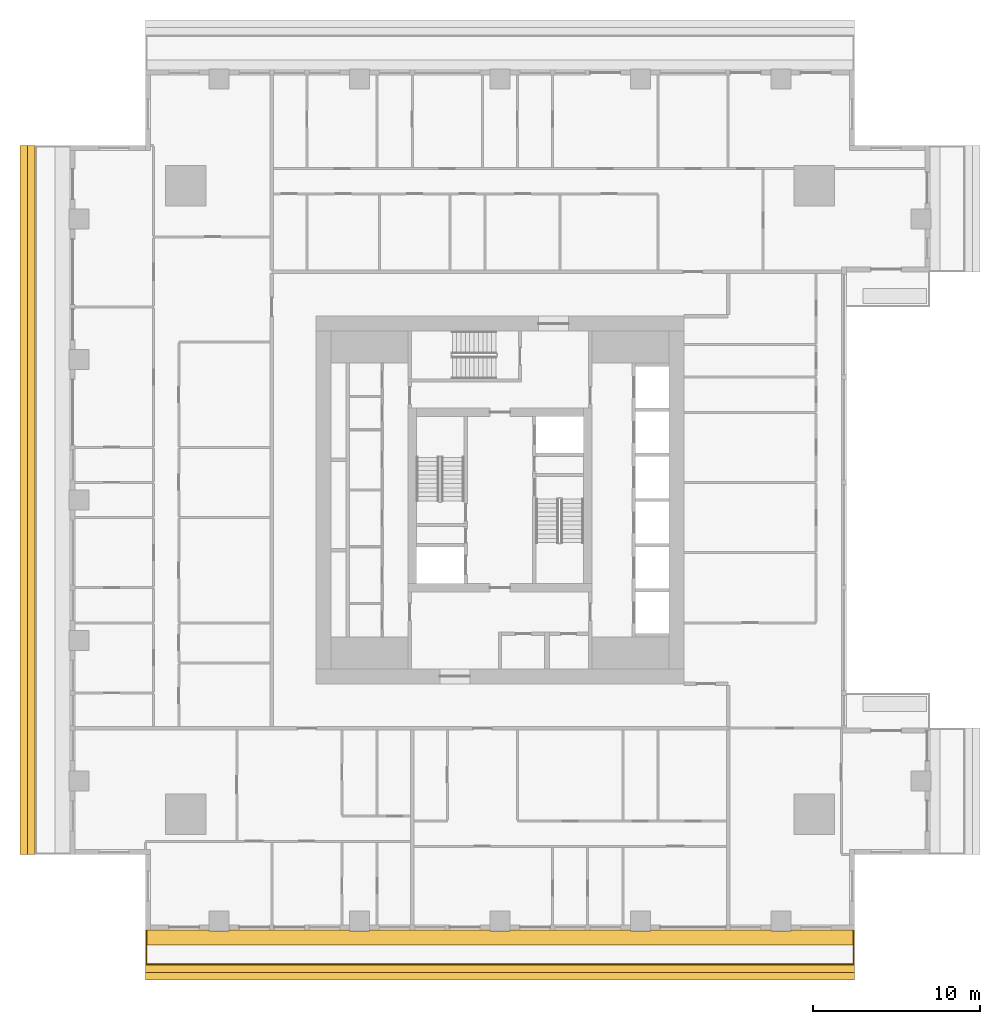
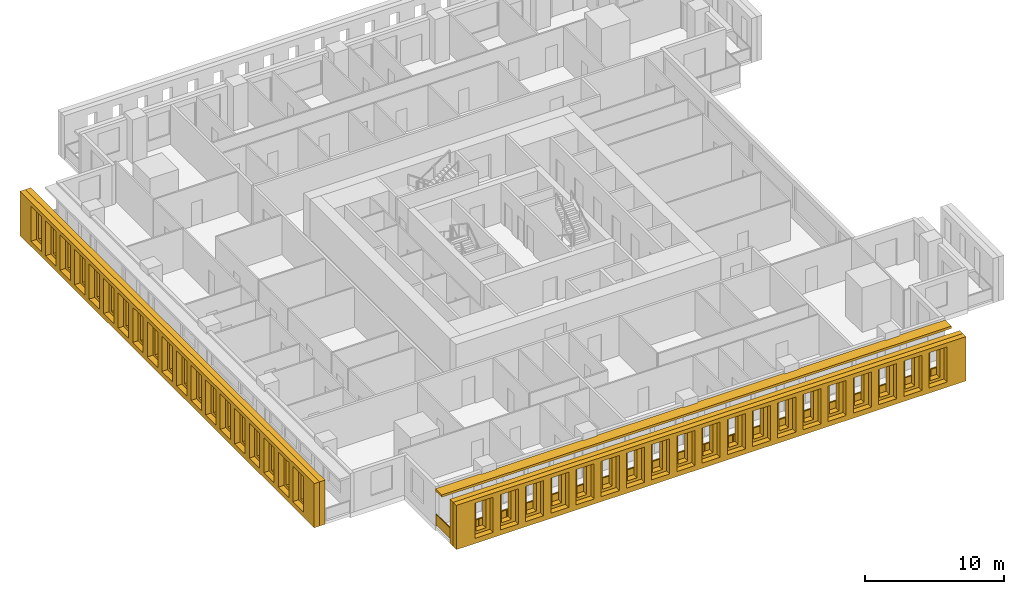
# One storey, part 10 of 15: 5 shading devices, 1 railing.
"""IFC4 building model written with IfcOpenShell, lengths in metres."""

from ifc_helpers import new_model, si_unit, direction, frame, origin, origin_2d, place, context, subcontext, project, spatial, polyline, rectangle, outline, extrude, material, layer, layer_set, type_object, element, save


model = new_model("IFC4")

# Units and contexts
model_context = context("Model", 3, precision=1e-05, world=origin(), true_north=direction((0.0, 1.0)))
body_context = subcontext(model_context, "Body", "Model", "MODEL_VIEW")
ifc_project = project(units=[si_unit("LENGTHUNIT", "METRE"), si_unit("AREAUNIT", "SQUARE_METRE"), si_unit("VOLUMEUNIT", "CUBIC_METRE"), si_unit("PLANEANGLEUNIT", "RADIAN"), si_unit("MASSUNIT", "GRAM", prefix="KILO")], contexts=[model_context])

# Site, building, storey
site_placement = place(None, origin())
site = spatial("IfcSite", under=ifc_project, at=site_placement, CompositionType="ELEMENT")
building_placement = place(site_placement, origin())
building = spatial("IfcBuilding", under=site, at=building_placement, Name="Khepri Terraces", CompositionType="ELEMENT")
storey_placement = place(building_placement, frame((0.0, 0.0, 227.39990234375)))
storey = spatial("IfcBuildingStorey", under=building, at=storey_placement, Name="L54", CompositionType="ELEMENT", Elevation=227.39990234375)

# Railing
ifc_material_1 = material(Name="Stainless steel grade 316", Category="steel")
railing_type = type_object("IfcRailingType", Name="GRD-BAL-1100", PredefinedType="GUARDRAIL", material=ifc_material_1)
railing_placement = place(storey_placement, frame((-21.169921875, -25.719970703125, 0.0)))
element("IfcRailing", 1, at=railing_placement, inside=storey, type_object=railing_type, Name="Balcony guard L54 S", PredefinedType="GUARDRAIL", context=body_context, shape_type="SweptSolid", body=[
    extrude(rectangle(XDim=0.050048828125, YDim=0.06005859375, at=origin_2d()), frame((0.0, 0.0, 1.070068359375), z_axis=(0.0, -1.0, 0.0), x_axis=(1.0, 0.0, 0.0)), (0.0, 0.0, 1.0), 2.050048828125),
    extrude(rectangle(XDim=2.0, YDim=0.011962890625, at=origin_2d()), frame((0.0, -1.02490234375, 0.10009765625), z_axis=(0.0, 0.0, 1.0), x_axis=(0.0, -1.0, 0.0)), (0.0, 0.0, 1.0), 0.93994140625),
    extrude(rectangle(XDim=0.050048828125, YDim=0.06005859375, at=origin_2d()), frame((0.0, -2.050048828125, 1.070068359375), z_axis=(1.0, 0.0, 0.0), x_axis=(0.0, 1.0, 0.0)), (0.0, 0.0, 1.0), 42.33984375),
    extrude(rectangle(XDim=2.30224609375, YDim=0.011962890625, at=origin_2d()), frame((1.176025390625, -2.050048828125, 0.10009765625), z_axis=(0.0, 0.0, 1.0), x_axis=(1.0, 0.0, 0.0)), (0.0, 0.0, 1.0), 0.93994140625),
    extrude(rectangle(XDim=2.30224609375, YDim=0.011962890625, at=origin_2d()), frame((3.5283203125, -2.050048828125, 0.10009765625), z_axis=(0.0, 0.0, 1.0), x_axis=(1.0, 0.0, 0.0)), (0.0, 0.0, 1.0), 0.93994140625),
    extrude(rectangle(XDim=2.30224609375, YDim=0.011962890625, at=origin_2d()), frame((5.880615234375, -2.050048828125, 0.10009765625), z_axis=(0.0, 0.0, 1.0), x_axis=(1.0, 0.0, 0.0)), (0.0, 0.0, 1.0), 0.93994140625),
    extrude(rectangle(XDim=2.30224609375, YDim=0.011962890625, at=origin_2d()), frame((8.232666015625, -2.050048828125, 0.10009765625), z_axis=(0.0, 0.0, 1.0), x_axis=(1.0, 0.0, 0.0)), (0.0, 0.0, 1.0), 0.93994140625),
    extrude(rectangle(XDim=2.30224609375, YDim=0.011962890625, at=origin_2d()), frame((10.5849609375, -2.050048828125, 0.10009765625), z_axis=(0.0, 0.0, 1.0), x_axis=(1.0, 0.0, 0.0)), (0.0, 0.0, 1.0), 0.93994140625),
    extrude(rectangle(XDim=2.30224609375, YDim=0.011962890625, at=origin_2d()), frame((12.937255859375, -2.050048828125, 0.10009765625), z_axis=(0.0, 0.0, 1.0), x_axis=(1.0, 0.0, 0.0)), (0.0, 0.0, 1.0), 0.93994140625),
    extrude(rectangle(XDim=2.30224609375, YDim=0.011962890625, at=origin_2d()), frame((15.289306640625, -2.050048828125, 0.10009765625), z_axis=(0.0, 0.0, 1.0), x_axis=(1.0, 0.0, 0.0)), (0.0, 0.0, 1.0), 0.93994140625),
    extrude(rectangle(XDim=2.30224609375, YDim=0.011962890625, at=origin_2d()), frame((17.6416015625, -2.050048828125, 0.10009765625), z_axis=(0.0, 0.0, 1.0), x_axis=(1.0, 0.0, 0.0)), (0.0, 0.0, 1.0), 0.93994140625),
    extrude(rectangle(XDim=2.30224609375, YDim=0.011962890625, at=origin_2d()), frame((19.993896484375, -2.050048828125, 0.10009765625), z_axis=(0.0, 0.0, 1.0), x_axis=(1.0, 0.0, 0.0)), (0.0, 0.0, 1.0), 0.93994140625),
    extrude(rectangle(XDim=2.30224609375, YDim=0.011962890625, at=origin_2d()), frame((22.345947265625, -2.050048828125, 0.10009765625), z_axis=(0.0, 0.0, 1.0), x_axis=(1.0, 0.0, 0.0)), (0.0, 0.0, 1.0), 0.93994140625),
    extrude(rectangle(XDim=2.30224609375, YDim=0.011962890625, at=origin_2d()), frame((24.6982421875, -2.050048828125, 0.10009765625), z_axis=(0.0, 0.0, 1.0), x_axis=(1.0, 0.0, 0.0)), (0.0, 0.0, 1.0), 0.93994140625),
    extrude(rectangle(XDim=2.30224609375, YDim=0.011962890625, at=origin_2d()), frame((27.050537109375, -2.050048828125, 0.10009765625), z_axis=(0.0, 0.0, 1.0), x_axis=(1.0, 0.0, 0.0)), (0.0, 0.0, 1.0), 0.93994140625),
    extrude(rectangle(XDim=2.30224609375, YDim=0.011962890625, at=origin_2d()), frame((29.402587890625, -2.050048828125, 0.10009765625), z_axis=(0.0, 0.0, 1.0), x_axis=(1.0, 0.0, 0.0)), (0.0, 0.0, 1.0), 0.93994140625),
    extrude(rectangle(XDim=2.30224609375, YDim=0.011962890625, at=origin_2d()), frame((31.7548828125, -2.050048828125, 0.10009765625), z_axis=(0.0, 0.0, 1.0), x_axis=(1.0, 0.0, 0.0)), (0.0, 0.0, 1.0), 0.93994140625),
    extrude(rectangle(XDim=2.30224609375, YDim=0.011962890625, at=origin_2d()), frame((34.107177734375, -2.050048828125, 0.10009765625), z_axis=(0.0, 0.0, 1.0), x_axis=(1.0, 0.0, 0.0)), (0.0, 0.0, 1.0), 0.93994140625),
    extrude(rectangle(XDim=2.30224609375, YDim=0.011962890625, at=origin_2d()), frame((36.459228515625, -2.050048828125, 0.10009765625), z_axis=(0.0, 0.0, 1.0), x_axis=(1.0, 0.0, 0.0)), (0.0, 0.0, 1.0), 0.93994140625),
    extrude(rectangle(XDim=2.30224609375, YDim=0.011962890625, at=origin_2d()), frame((38.8115234375, -2.050048828125, 0.10009765625), z_axis=(0.0, 0.0, 1.0), x_axis=(1.0, 0.0, 0.0)), (0.0, 0.0, 1.0), 0.93994140625),
    extrude(rectangle(XDim=2.30224609375, YDim=0.011962890625, at=origin_2d()), frame((41.163818359375, -2.050048828125, 0.10009765625), z_axis=(0.0, 0.0, 1.0), x_axis=(1.0, 0.0, 0.0)), (0.0, 0.0, 1.0), 0.93994140625),
    extrude(rectangle(XDim=0.050048828125, YDim=0.06005859375, at=origin_2d()), frame((42.33984375, -2.050048828125, 1.070068359375), z_axis=(0.0, 1.0, 0.0), x_axis=(-1.0, 0.0, 0.0)), (0.0, 0.0, 1.0), 2.050048828125),
    extrude(rectangle(XDim=2.0, YDim=0.011962890625, at=origin_2d()), frame((42.33984375, -1.02490234375, 0.10009765625), z_axis=(0.0, 0.0, 1.0), x_axis=(0.0, 1.0, 0.0)), (0.0, 0.0, 1.0), 0.93994140625),
    extrude(rectangle(XDim=0.050048828125, YDim=0.050048828125, at=origin_2d()), origin(), (0.0, 0.0, 1.0), 1.0400390625),
    extrude(rectangle(XDim=0.050048828125, YDim=0.050048828125, at=origin_2d()), frame((0.0, -2.050048828125, 0.0)), (0.0, 0.0, 1.0), 1.0400390625),
    extrude(rectangle(XDim=0.050048828125, YDim=0.050048828125, at=origin_2d()), frame((2.352294921875, -2.050048828125, 0.0)), (0.0, 0.0, 1.0), 1.0400390625),
    extrude(rectangle(XDim=0.050048828125, YDim=0.050048828125, at=origin_2d()), frame((4.704345703125, -2.050048828125, 0.0)), (0.0, 0.0, 1.0), 1.0400390625),
    extrude(rectangle(XDim=0.050048828125, YDim=0.050048828125, at=origin_2d()), frame((7.056640625, -2.050048828125, 0.0)), (0.0, 0.0, 1.0), 1.0400390625),
    extrude(rectangle(XDim=0.050048828125, YDim=0.050048828125, at=origin_2d()), frame((9.408935546875, -2.050048828125, 0.0)), (0.0, 0.0, 1.0), 1.0400390625),
    extrude(rectangle(XDim=0.050048828125, YDim=0.050048828125, at=origin_2d()), frame((11.760986328125, -2.050048828125, 0.0)), (0.0, 0.0, 1.0), 1.0400390625),
    extrude(rectangle(XDim=0.050048828125, YDim=0.050048828125, at=origin_2d()), frame((14.11328125, -2.050048828125, 0.0)), (0.0, 0.0, 1.0), 1.0400390625),
    extrude(rectangle(XDim=0.050048828125, YDim=0.050048828125, at=origin_2d()), frame((16.465576171875, -2.050048828125, 0.0)), (0.0, 0.0, 1.0), 1.0400390625),
    extrude(rectangle(XDim=0.050048828125, YDim=0.050048828125, at=origin_2d()), frame((18.817626953125, -2.050048828125, 0.0)), (0.0, 0.0, 1.0), 1.0400390625),
    extrude(rectangle(XDim=0.050048828125, YDim=0.050048828125, at=origin_2d()), frame((21.169921875, -2.050048828125, 0.0)), (0.0, 0.0, 1.0), 1.0400390625),
    extrude(rectangle(XDim=0.050048828125, YDim=0.050048828125, at=origin_2d()), frame((23.522216796875, -2.050048828125, 0.0)), (0.0, 0.0, 1.0), 1.0400390625),
    extrude(rectangle(XDim=0.050048828125, YDim=0.050048828125, at=origin_2d()), frame((25.874267578125, -2.050048828125, 0.0)), (0.0, 0.0, 1.0), 1.0400390625),
    extrude(rectangle(XDim=0.050048828125, YDim=0.050048828125, at=origin_2d()), frame((28.2265625, -2.050048828125, 0.0)), (0.0, 0.0, 1.0), 1.0400390625),
    extrude(rectangle(XDim=0.050048828125, YDim=0.050048828125, at=origin_2d()), frame((30.578857421875, -2.050048828125, 0.0)), (0.0, 0.0, 1.0), 1.0400390625),
    extrude(rectangle(XDim=0.050048828125, YDim=0.050048828125, at=origin_2d()), frame((32.930908203125, -2.050048828125, 0.0)), (0.0, 0.0, 1.0), 1.0400390625),
    extrude(rectangle(XDim=0.050048828125, YDim=0.050048828125, at=origin_2d()), frame((35.283203125, -2.050048828125, 0.0)), (0.0, 0.0, 1.0), 1.0400390625),
    extrude(rectangle(XDim=0.050048828125, YDim=0.050048828125, at=origin_2d()), frame((37.635498046875, -2.050048828125, 0.0)), (0.0, 0.0, 1.0), 1.0400390625),
    extrude(rectangle(XDim=0.050048828125, YDim=0.050048828125, at=origin_2d()), frame((39.987548828125, -2.050048828125, 0.0)), (0.0, 0.0, 1.0), 1.0400390625),
    extrude(rectangle(XDim=0.050048828125, YDim=0.050048828125, at=origin_2d()), frame((42.33984375, -2.050048828125, 0.0)), (0.0, 0.0, 1.0), 1.0400390625),
    extrude(rectangle(XDim=0.050048828125, YDim=0.050048828125, at=origin_2d()), frame((42.33984375, 0.0, 0.0)), (0.0, 0.0, 1.0), 1.0400390625),
])

# Shading devices
ifc_material_2 = material(Name="Precast concrete C50/60 warm stone", Category="masonry")
shading_device_type_1 = type_object("IfcShadingDeviceType", Name="SCR-CELL-INNER-450", PredefinedType="USERDEFINED", material=ifc_material_2)
shading_device_1_placement = place(storey_placement, frame((-21.219970703125, -27.820068359375, -0.25), z_axis=(0.0, -1.0, 0.0), x_axis=(1.0, 0.0, 0.0)))
element("IfcShadingDevice", 2, at=shading_device_1_placement, inside=storey, type_object=shading_device_type_1, Name="Cell screen L54 S in", ObjectType="SCREEN", PredefinedType="USERDEFINED", context=body_context, shape_type="SweptSolid", body=[
    extrude(outline(polyline([(0.0, 0.0), (42.43994140625, 0.0), (42.43994140625, 3.89990234375), (0.0, 3.89990234375), (0.0, 0.0)]), holes=[polyline([(1.91845703125, 0.699951171875), (2.7216796875, 0.699951171875), (2.7216796875, 3.300048828125), (1.91845703125, 3.300048828125), (1.91845703125, 0.699951171875)]), polyline([(4.018310546875, 0.699951171875), (4.821533203125, 0.699951171875), (4.821533203125, 3.300048828125), (4.018310546875, 3.300048828125), (4.018310546875, 0.699951171875)]), polyline([(6.118408203125, 0.699951171875), (6.921630859375, 0.699951171875), (6.921630859375, 3.300048828125), (6.118408203125, 3.300048828125), (6.118408203125, 0.699951171875)]), polyline([(8.218505859375, 0.699951171875), (9.021484375, 0.699951171875), (9.021484375, 3.300048828125), (8.218505859375, 3.300048828125), (8.218505859375, 0.699951171875)]), polyline([(10.318359375, 0.699951171875), (11.12158203125, 0.699951171875), (11.12158203125, 3.300048828125), (10.318359375, 3.300048828125), (10.318359375, 0.699951171875)]), polyline([(12.41845703125, 0.699951171875), (13.2216796875, 0.699951171875), (13.2216796875, 3.300048828125), (12.41845703125, 3.300048828125), (12.41845703125, 0.699951171875)]), polyline([(14.518310546875, 0.699951171875), (15.321533203125, 0.699951171875), (15.321533203125, 3.300048828125), (14.518310546875, 3.300048828125), (14.518310546875, 0.699951171875)]), polyline([(16.618408203125, 0.699951171875), (17.421630859375, 0.699951171875), (17.421630859375, 3.300048828125), (16.618408203125, 3.300048828125), (16.618408203125, 0.699951171875)]), polyline([(18.718505859375, 0.699951171875), (19.521484375, 0.699951171875), (19.521484375, 3.300048828125), (18.718505859375, 3.300048828125), (18.718505859375, 0.699951171875)]), polyline([(20.818359375, 0.699951171875), (21.62158203125, 0.699951171875), (21.62158203125, 3.300048828125), (20.818359375, 3.300048828125), (20.818359375, 0.699951171875)]), polyline([(22.91845703125, 0.699951171875), (23.7216796875, 0.699951171875), (23.7216796875, 3.300048828125), (22.91845703125, 3.300048828125), (22.91845703125, 0.699951171875)]), polyline([(25.018310546875, 0.699951171875), (25.821533203125, 0.699951171875), (25.821533203125, 3.300048828125), (25.018310546875, 3.300048828125), (25.018310546875, 0.699951171875)]), polyline([(27.118408203125, 0.699951171875), (27.921630859375, 0.699951171875), (27.921630859375, 3.300048828125), (27.118408203125, 3.300048828125), (27.118408203125, 0.699951171875)]), polyline([(29.218505859375, 0.699951171875), (30.021484375, 0.699951171875), (30.021484375, 3.300048828125), (29.218505859375, 3.300048828125), (29.218505859375, 0.699951171875)]), polyline([(31.318359375, 0.699951171875), (32.12158203125, 0.699951171875), (32.12158203125, 3.300048828125), (31.318359375, 3.300048828125), (31.318359375, 0.699951171875)]), polyline([(33.41845703125, 0.699951171875), (34.2216796875, 0.699951171875), (34.2216796875, 3.300048828125), (33.41845703125, 3.300048828125), (33.41845703125, 0.699951171875)]), polyline([(35.518310546875, 0.699951171875), (36.321533203125, 0.699951171875), (36.321533203125, 3.300048828125), (35.518310546875, 3.300048828125), (35.518310546875, 0.699951171875)]), polyline([(37.618408203125, 0.699951171875), (38.421630859375, 0.699951171875), (38.421630859375, 3.300048828125), (37.618408203125, 3.300048828125), (37.618408203125, 0.699951171875)]), polyline([(39.718505859375, 0.699951171875), (40.521484375, 0.699951171875), (40.521484375, 3.300048828125), (39.718505859375, 3.300048828125), (39.718505859375, 0.699951171875)])]), origin(), (0.0, 0.0, 1.0), 0.449951171875),
])
shading_device_2_placement = place(storey_placement, frame((-27.820068359375, 21.219970703125, -0.25), z_axis=(-1.0, 0.0, 0.0), x_axis=(0.0, -1.0, 0.0)))
element("IfcShadingDevice", 3, at=shading_device_2_placement, inside=storey, type_object=shading_device_type_1, Name="Cell screen L54 W in", ObjectType="SCREEN", PredefinedType="USERDEFINED", context=body_context, shape_type="SweptSolid", body=[
    extrude(outline(polyline([(0.0, 0.0), (42.43994140625, 0.0), (42.43994140625, 3.89990234375), (0.0, 3.89990234375), (0.0, 0.0)]), holes=[polyline([(1.91845703125, 0.699951171875), (2.7216796875, 0.699951171875), (2.7216796875, 3.300048828125), (1.91845703125, 3.300048828125), (1.91845703125, 0.699951171875)]), polyline([(4.018310546875, 0.699951171875), (4.821533203125, 0.699951171875), (4.821533203125, 3.300048828125), (4.018310546875, 3.300048828125), (4.018310546875, 0.699951171875)]), polyline([(6.118408203125, 0.699951171875), (6.921630859375, 0.699951171875), (6.921630859375, 3.300048828125), (6.118408203125, 3.300048828125), (6.118408203125, 0.699951171875)]), polyline([(8.218505859375, 0.699951171875), (9.021484375, 0.699951171875), (9.021484375, 3.300048828125), (8.218505859375, 3.300048828125), (8.218505859375, 0.699951171875)]), polyline([(10.318359375, 0.699951171875), (11.12158203125, 0.699951171875), (11.12158203125, 3.300048828125), (10.318359375, 3.300048828125), (10.318359375, 0.699951171875)]), polyline([(12.41845703125, 0.699951171875), (13.2216796875, 0.699951171875), (13.2216796875, 3.300048828125), (12.41845703125, 3.300048828125), (12.41845703125, 0.699951171875)]), polyline([(14.518310546875, 0.699951171875), (15.321533203125, 0.699951171875), (15.321533203125, 3.300048828125), (14.518310546875, 3.300048828125), (14.518310546875, 0.699951171875)]), polyline([(16.618408203125, 0.699951171875), (17.421630859375, 0.699951171875), (17.421630859375, 3.300048828125), (16.618408203125, 3.300048828125), (16.618408203125, 0.699951171875)]), polyline([(18.718505859375, 0.699951171875), (19.521484375, 0.699951171875), (19.521484375, 3.300048828125), (18.718505859375, 3.300048828125), (18.718505859375, 0.699951171875)]), polyline([(20.818359375, 0.699951171875), (21.62158203125, 0.699951171875), (21.62158203125, 3.300048828125), (20.818359375, 3.300048828125), (20.818359375, 0.699951171875)]), polyline([(22.91845703125, 0.699951171875), (23.7216796875, 0.699951171875), (23.7216796875, 3.300048828125), (22.91845703125, 3.300048828125), (22.91845703125, 0.699951171875)]), polyline([(25.018310546875, 0.699951171875), (25.821533203125, 0.699951171875), (25.821533203125, 3.300048828125), (25.018310546875, 3.300048828125), (25.018310546875, 0.699951171875)]), polyline([(27.118408203125, 0.699951171875), (27.921630859375, 0.699951171875), (27.921630859375, 3.300048828125), (27.118408203125, 3.300048828125), (27.118408203125, 0.699951171875)]), polyline([(29.218505859375, 0.699951171875), (30.021484375, 0.699951171875), (30.021484375, 3.300048828125), (29.218505859375, 3.300048828125), (29.218505859375, 0.699951171875)]), polyline([(31.318359375, 0.699951171875), (32.12158203125, 0.699951171875), (32.12158203125, 3.300048828125), (31.318359375, 3.300048828125), (31.318359375, 0.699951171875)]), polyline([(33.41845703125, 0.699951171875), (34.2216796875, 0.699951171875), (34.2216796875, 3.300048828125), (33.41845703125, 3.300048828125), (33.41845703125, 0.699951171875)]), polyline([(35.518310546875, 0.699951171875), (36.321533203125, 0.699951171875), (36.321533203125, 3.300048828125), (35.518310546875, 3.300048828125), (35.518310546875, 0.699951171875)]), polyline([(37.618408203125, 0.699951171875), (38.421630859375, 0.699951171875), (38.421630859375, 3.300048828125), (37.618408203125, 3.300048828125), (37.618408203125, 0.699951171875)]), polyline([(39.718505859375, 0.699951171875), (40.521484375, 0.699951171875), (40.521484375, 3.300048828125), (39.718505859375, 3.300048828125), (39.718505859375, 0.699951171875)])]), origin(), (0.0, 0.0, 1.0), 0.449951171875),
])
shading_device_type_2 = type_object("IfcShadingDeviceType", Name="SCR-CELL-OUTER-450", PredefinedType="USERDEFINED", material=ifc_material_2)
shading_device_3_placement = place(storey_placement, frame((-21.219970703125, -28.27001953125, -0.25), z_axis=(0.0, -1.0, 0.0), x_axis=(1.0, 0.0, 0.0)))
element("IfcShadingDevice", 4, at=shading_device_3_placement, inside=storey, type_object=shading_device_type_2, Name="Cell screen L54 S out", ObjectType="SCREEN", PredefinedType="USERDEFINED", context=body_context, shape_type="SweptSolid", body=[
    extrude(outline(polyline([(0.0, 0.0), (42.43994140625, 0.0), (42.43994140625, 3.89990234375), (0.0, 3.89990234375), (0.0, 0.0)]), holes=[polyline([(1.568359375, 0.449951171875), (3.071533203125, 0.449951171875), (3.071533203125, 3.550048828125), (1.568359375, 3.550048828125), (1.568359375, 0.449951171875)]), polyline([(3.66845703125, 0.449951171875), (5.171630859375, 0.449951171875), (5.171630859375, 3.550048828125), (3.66845703125, 3.550048828125), (3.66845703125, 0.449951171875)]), polyline([(5.768310546875, 0.449951171875), (7.271484375, 0.449951171875), (7.271484375, 3.550048828125), (5.768310546875, 3.550048828125), (5.768310546875, 0.449951171875)]), polyline([(7.868408203125, 0.449951171875), (9.37158203125, 0.449951171875), (9.37158203125, 3.550048828125), (7.868408203125, 3.550048828125), (7.868408203125, 0.449951171875)]), polyline([(9.968505859375, 0.449951171875), (11.4716796875, 0.449951171875), (11.4716796875, 3.550048828125), (9.968505859375, 3.550048828125), (9.968505859375, 0.449951171875)]), polyline([(12.068359375, 0.449951171875), (13.571533203125, 0.449951171875), (13.571533203125, 3.550048828125), (12.068359375, 3.550048828125), (12.068359375, 0.449951171875)]), polyline([(14.16845703125, 0.449951171875), (15.671630859375, 0.449951171875), (15.671630859375, 3.550048828125), (14.16845703125, 3.550048828125), (14.16845703125, 0.449951171875)]), polyline([(16.268310546875, 0.449951171875), (17.771484375, 0.449951171875), (17.771484375, 3.550048828125), (16.268310546875, 3.550048828125), (16.268310546875, 0.449951171875)]), polyline([(18.368408203125, 0.449951171875), (19.87158203125, 0.449951171875), (19.87158203125, 3.550048828125), (18.368408203125, 3.550048828125), (18.368408203125, 0.449951171875)]), polyline([(20.468505859375, 0.449951171875), (21.9716796875, 0.449951171875), (21.9716796875, 3.550048828125), (20.468505859375, 3.550048828125), (20.468505859375, 0.449951171875)]), polyline([(22.568359375, 0.449951171875), (24.071533203125, 0.449951171875), (24.071533203125, 3.550048828125), (22.568359375, 3.550048828125), (22.568359375, 0.449951171875)]), polyline([(24.66845703125, 0.449951171875), (26.171630859375, 0.449951171875), (26.171630859375, 3.550048828125), (24.66845703125, 3.550048828125), (24.66845703125, 0.449951171875)]), polyline([(26.768310546875, 0.449951171875), (28.271484375, 0.449951171875), (28.271484375, 3.550048828125), (26.768310546875, 3.550048828125), (26.768310546875, 0.449951171875)]), polyline([(28.868408203125, 0.449951171875), (30.37158203125, 0.449951171875), (30.37158203125, 3.550048828125), (28.868408203125, 3.550048828125), (28.868408203125, 0.449951171875)]), polyline([(30.968505859375, 0.449951171875), (32.4716796875, 0.449951171875), (32.4716796875, 3.550048828125), (30.968505859375, 3.550048828125), (30.968505859375, 0.449951171875)]), polyline([(33.068359375, 0.449951171875), (34.571533203125, 0.449951171875), (34.571533203125, 3.550048828125), (33.068359375, 3.550048828125), (33.068359375, 0.449951171875)]), polyline([(35.16845703125, 0.449951171875), (36.671630859375, 0.449951171875), (36.671630859375, 3.550048828125), (35.16845703125, 3.550048828125), (35.16845703125, 0.449951171875)]), polyline([(37.268310546875, 0.449951171875), (38.771484375, 0.449951171875), (38.771484375, 3.550048828125), (37.268310546875, 3.550048828125), (37.268310546875, 0.449951171875)]), polyline([(39.368408203125, 0.449951171875), (40.87158203125, 0.449951171875), (40.87158203125, 3.550048828125), (39.368408203125, 3.550048828125), (39.368408203125, 0.449951171875)])]), origin(), (0.0, 0.0, 1.0), 0.449951171875),
])
shading_device_4_placement = place(storey_placement, frame((-28.27001953125, 21.219970703125, -0.25), z_axis=(-1.0, 0.0, 0.0), x_axis=(0.0, -1.0, 0.0)))
element("IfcShadingDevice", 5, at=shading_device_4_placement, inside=storey, type_object=shading_device_type_2, Name="Cell screen L54 W out", ObjectType="SCREEN", PredefinedType="USERDEFINED", context=body_context, shape_type="SweptSolid", body=[
    extrude(outline(polyline([(0.0, 0.0), (42.43994140625, 0.0), (42.43994140625, 3.89990234375), (0.0, 3.89990234375), (0.0, 0.0)]), holes=[polyline([(1.568359375, 0.449951171875), (3.071533203125, 0.449951171875), (3.071533203125, 3.550048828125), (1.568359375, 3.550048828125), (1.568359375, 0.449951171875)]), polyline([(3.66845703125, 0.449951171875), (5.171630859375, 0.449951171875), (5.171630859375, 3.550048828125), (3.66845703125, 3.550048828125), (3.66845703125, 0.449951171875)]), polyline([(5.768310546875, 0.449951171875), (7.271484375, 0.449951171875), (7.271484375, 3.550048828125), (5.768310546875, 3.550048828125), (5.768310546875, 0.449951171875)]), polyline([(7.868408203125, 0.449951171875), (9.37158203125, 0.449951171875), (9.37158203125, 3.550048828125), (7.868408203125, 3.550048828125), (7.868408203125, 0.449951171875)]), polyline([(9.968505859375, 0.449951171875), (11.4716796875, 0.449951171875), (11.4716796875, 3.550048828125), (9.968505859375, 3.550048828125), (9.968505859375, 0.449951171875)]), polyline([(12.068359375, 0.449951171875), (13.571533203125, 0.449951171875), (13.571533203125, 3.550048828125), (12.068359375, 3.550048828125), (12.068359375, 0.449951171875)]), polyline([(14.16845703125, 0.449951171875), (15.671630859375, 0.449951171875), (15.671630859375, 3.550048828125), (14.16845703125, 3.550048828125), (14.16845703125, 0.449951171875)]), polyline([(16.268310546875, 0.449951171875), (17.771484375, 0.449951171875), (17.771484375, 3.550048828125), (16.268310546875, 3.550048828125), (16.268310546875, 0.449951171875)]), polyline([(18.368408203125, 0.449951171875), (19.87158203125, 0.449951171875), (19.87158203125, 3.550048828125), (18.368408203125, 3.550048828125), (18.368408203125, 0.449951171875)]), polyline([(20.468505859375, 0.449951171875), (21.9716796875, 0.449951171875), (21.9716796875, 3.550048828125), (20.468505859375, 3.550048828125), (20.468505859375, 0.449951171875)]), polyline([(22.568359375, 0.449951171875), (24.071533203125, 0.449951171875), (24.071533203125, 3.550048828125), (22.568359375, 3.550048828125), (22.568359375, 0.449951171875)]), polyline([(24.66845703125, 0.449951171875), (26.171630859375, 0.449951171875), (26.171630859375, 3.550048828125), (24.66845703125, 3.550048828125), (24.66845703125, 0.449951171875)]), polyline([(26.768310546875, 0.449951171875), (28.271484375, 0.449951171875), (28.271484375, 3.550048828125), (26.768310546875, 3.550048828125), (26.768310546875, 0.449951171875)]), polyline([(28.868408203125, 0.449951171875), (30.37158203125, 0.449951171875), (30.37158203125, 3.550048828125), (28.868408203125, 3.550048828125), (28.868408203125, 0.449951171875)]), polyline([(30.968505859375, 0.449951171875), (32.4716796875, 0.449951171875), (32.4716796875, 3.550048828125), (30.968505859375, 3.550048828125), (30.968505859375, 0.449951171875)]), polyline([(33.068359375, 0.449951171875), (34.571533203125, 0.449951171875), (34.571533203125, 3.550048828125), (33.068359375, 3.550048828125), (33.068359375, 0.449951171875)]), polyline([(35.16845703125, 0.449951171875), (36.671630859375, 0.449951171875), (36.671630859375, 3.550048828125), (35.16845703125, 3.550048828125), (35.16845703125, 0.449951171875)]), polyline([(37.268310546875, 0.449951171875), (38.771484375, 0.449951171875), (38.771484375, 3.550048828125), (37.268310546875, 3.550048828125), (37.268310546875, 0.449951171875)]), polyline([(39.368408203125, 0.449951171875), (40.87158203125, 0.449951171875), (40.87158203125, 3.550048828125), (39.368408203125, 3.550048828125), (39.368408203125, 0.449951171875)])]), origin(), (0.0, 0.0, 1.0), 0.449951171875),
])
ifc_layer = layer(ifc_material_2, 0.199951171875, Name="Precast concrete C50/60 warm stone", Category="masonry")
ifc_layer_set = layer_set([ifc_layer], Name="Precast concrete C50/60 warm stone")
shading_device_type_3 = type_object("IfcShadingDeviceType", Name="SSH-BAND-STONE-200", PredefinedType="USERDEFINED", material=ifc_layer_set)
shading_device_5_placement = place(storey_placement, frame((0.0, 0.0, 3.10009765625)))
element("IfcShadingDevice", 6, at=shading_device_5_placement, inside=storey, type_object=shading_device_type_3, Name="Sunshade band L54 S", ObjectType="SUNSHADE", PredefinedType="USERDEFINED", context=body_context, shape_type="SweptSolid", body=[
    extrude(outline(polyline([(-17.39990234375, -25.719970703125), (-21.219970703125, -25.719970703125), (-21.219970703125, -26.6201171875), (21.219970703125, -26.6201171875), (21.219970703125, -25.719970703125), (17.39990234375, -25.719970703125), (17.39990234375, -25.800048828125), (16.199951171875, -25.800048828125), (16.199951171875, -25.719970703125), (9.0, -25.719970703125), (9.0, -25.800048828125), (7.800048828125, -25.800048828125), (7.800048828125, -25.719970703125), (0.60009765625, -25.719970703125), (0.60009765625, -25.800048828125), (-0.60009765625, -25.800048828125), (-0.60009765625, -25.719970703125), (-7.800048828125, -25.719970703125), (-7.800048828125, -25.800048828125), (-9.0, -25.800048828125), (-9.0, -25.719970703125), (-16.199951171875, -25.719970703125), (-16.199951171875, -25.800048828125), (-17.39990234375, -25.800048828125), (-17.39990234375, -25.719970703125)])), origin(), (0.0, 0.0, 1.0), 0.199951171875),
])

save(model, "model.ifc")
